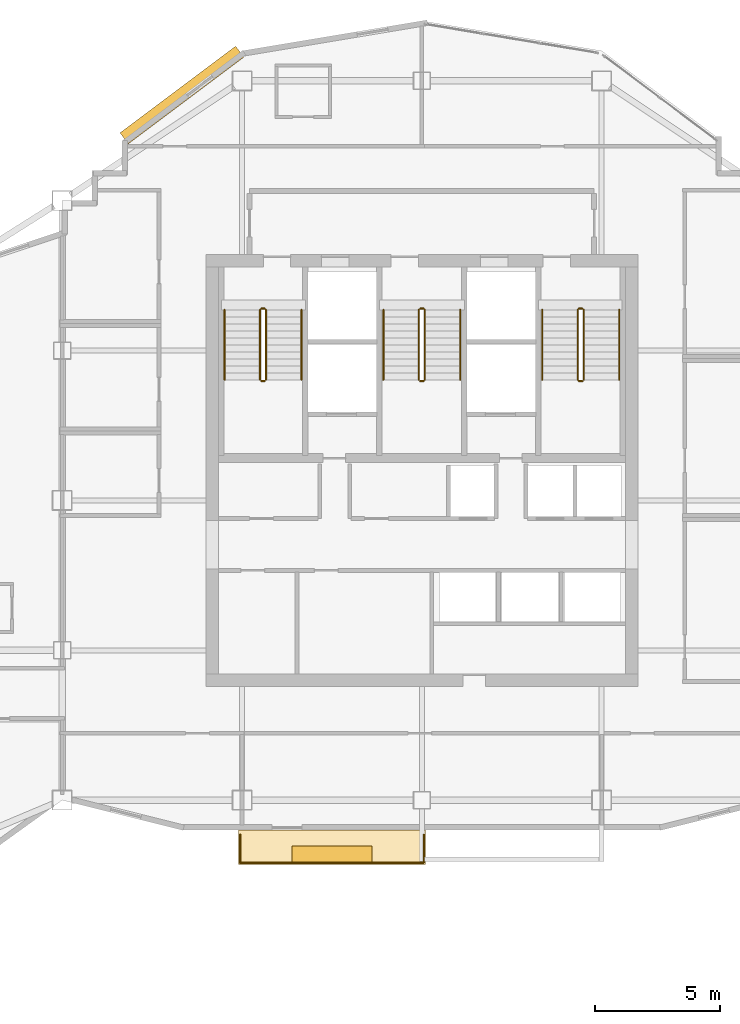
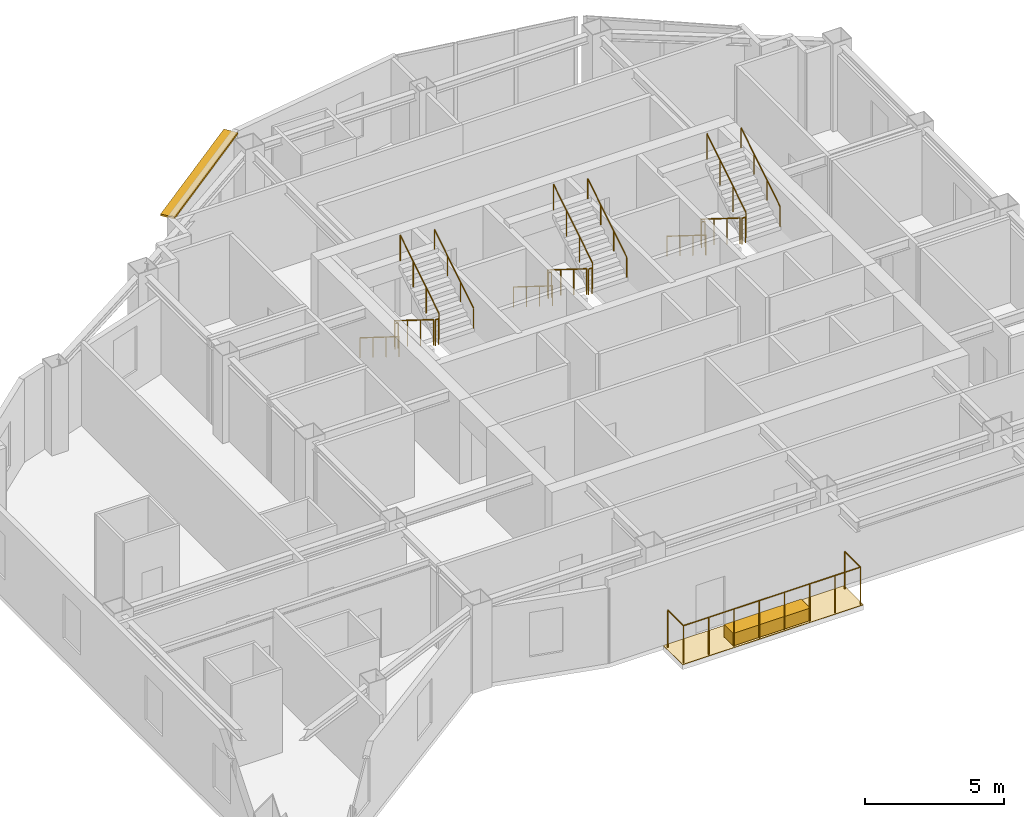
# One storey, part 9 of 9: 20 railings, 2 coverings, 1 shading device.
"""IFC4 building model written with IfcOpenShell, lengths in metres."""

import ifcopenshell
import ifcopenshell.guid

model = None  # the IFC model being written
_history = None  # IfcOwnerHistory: only IFC2X3 demands one
_inside = {}  # id of a spatial element -> (the spatial element, [elements in it])
_under = {}  # id of a project, library or spatial element -> (it, [spatial elements below it])
_declared = {}  # id of a project -> (the project, [libraries it declares])
_typed = {}  # id of a type object -> (the type object, [elements of that type])
_made_of = {}  # id of a material, layer set ... -> (it, [elements and type objects made of it])


def new_model(schema):
    """Start an empty IFC model of exactly this schema.

    Asked for "IFC4X3", IfcOpenShell would pick the latest addendum, in which some entities
    have other attributes; the version numbers below select the first issue.
    IFC2X3 requires an IfcOwnerHistory on every rooted entity: one is made here for all.
    """
    global model, _history
    if schema == "IFC4X3":
        model = ifcopenshell.file(schema_version=(4, 3, 0, 0))
    else:
        model = ifcopenshell.file(schema=schema)
    _inside.clear()
    _under.clear()
    _declared.clear()
    _typed.clear()
    _made_of.clear()
    _history = None
    if model.schema == "IFC2X3":
        org = make("IfcOrganization", Name="unknown")
        user = make(
            "IfcPersonAndOrganization",
            ThePerson=make("IfcPerson", FamilyName="unknown"),
            TheOrganization=org,
        )
        app = make(
            "IfcApplication",
            ApplicationDeveloper=org,
            Version="unknown",
            ApplicationFullName="unknown",
            ApplicationIdentifier="unknown",
        )
        _history = make(
            "IfcOwnerHistory",
            OwningUser=user,
            OwningApplication=app,
            ChangeAction="ADDED",
            CreationDate=0,
        )
    return model


def make(cls, **values):
    """One entity of the class cls with the attributes given. An attribute that is None is left unset."""
    return model.create_entity(
        cls, **{name: value for name, value in values.items() if value is not None}
    )


def rooted(cls, **values):
    """An entity with a GlobalId (a new one), such as an element, a storey or a relation."""
    return make(cls, GlobalId=ifcopenshell.guid.new(), OwnerHistory=_history, **values)


def si_unit(unit_type, name, prefix=None):
    """IfcSIUnit, for example si_unit("LENGTHUNIT", "METRE", prefix="MILLI")."""
    return make("IfcSIUnit", UnitType=unit_type, Prefix=prefix, Name=name)


def assignment(units):
    """IfcUnitAssignment: the units of a project."""
    return None if units is None else make("IfcUnitAssignment", Units=units)


def point(xyz):
    """IfcCartesianPoint."""
    return None if xyz is None else make("IfcCartesianPoint", Coordinates=xyz)


def direction(xyz):
    """IfcDirection."""
    return None if xyz is None else make("IfcDirection", DirectionRatios=xyz)


def frame(location, z_axis=None, x_axis=None):
    """IfcAxis2Placement3D, a coordinate frame: its origin and axes. An axis left out is left unset."""
    return make(
        "IfcAxis2Placement3D",
        Location=point(location),
        Axis=direction(z_axis),
        RefDirection=direction(x_axis),
    )


def frame_2d(location, x_axis=None):
    """IfcAxis2Placement2D, a coordinate frame in the plane: its origin and x axis."""
    return make(
        "IfcAxis2Placement2D", Location=point(location), RefDirection=direction(x_axis)
    )


def origin():
    """The frame at (0, 0, 0) with its axes left unset."""
    return frame((0.0, 0.0, 0.0))


def origin_2d():
    """The frame at (0, 0) in the plane with its x axis left unset."""
    return frame_2d((0.0, 0.0))


def place(relative_to, where):
    """IfcLocalPlacement: puts the frame where relative to a parent placement (None: the world)."""
    return make(
        "IfcLocalPlacement", PlacementRelTo=relative_to, RelativePlacement=where
    )


def context(
    kind, dimensions, precision=None, world=None, true_north=None, identifier=None
):
    """IfcGeometricRepresentationContext, for example the 3D "Model" context."""
    return make(
        "IfcGeometricRepresentationContext",
        ContextIdentifier=identifier,
        ContextType=kind,
        CoordinateSpaceDimension=dimensions,
        Precision=precision,
        WorldCoordinateSystem=world,
        TrueNorth=true_north,
    )


def subcontext(parent, identifier, kind, view, scale=None):
    """IfcGeometricRepresentationSubContext, for example "Body" below "Model"."""
    return make(
        "IfcGeometricRepresentationSubContext",
        ContextIdentifier=identifier,
        ContextType=kind,
        ParentContext=parent,
        TargetScale=scale,
        TargetView=view,
    )


def project(units=None, contexts=None):
    """IfcProject with its units and contexts."""
    return rooted(
        "IfcProject",
        Name="project",
        RepresentationContexts=contexts,
        UnitsInContext=assignment(units),
    )


def spatial(cls, under=None, at=None, **own):
    """A site, building, storey or space (cls), placed at a placement, below another one or the project."""
    s = rooted(cls, ObjectPlacement=at, **own)
    if under is not None:
        _under.setdefault(under.id(), (under, []))[1].append(s)
    return s


def polyline(points):
    """IfcPolyline through the points."""
    return make("IfcPolyline", Points=[point(p) for p in points])


def profile(cls, at=None, kind="AREA", **sizes):
    """A parametric profile (cls). Its sizes go by their IFC names, for example OverallWidth=200.0."""
    return make(cls, ProfileType=kind, Position=at, **sizes)


def rectangle(**sizes):
    """IfcRectangleProfileDef."""
    return profile("IfcRectangleProfileDef", **sizes)


def circle(**sizes):
    """IfcCircleProfileDef."""
    return profile("IfcCircleProfileDef", **sizes)


def outline(outer, holes=None, kind="AREA"):
    """IfcArbitraryClosedProfileDef: a profile drawn as a closed curve; with holes, ...WithVoids."""
    if holes is None:
        return make("IfcArbitraryClosedProfileDef", ProfileType=kind, OuterCurve=outer)
    return make(
        "IfcArbitraryProfileDefWithVoids",
        ProfileType=kind,
        OuterCurve=outer,
        InnerCurves=holes,
    )


def extrude(swept, where, along, depth):
    """IfcExtrudedAreaSolid: the profile swept, set in the frame where, extruded along a direction by depth."""
    return make(
        "IfcExtrudedAreaSolid",
        SweptArea=swept,
        Position=where,
        ExtrudedDirection=direction(along),
        Depth=depth,
    )


def shape(context_of_items, identifier, shape_type, items):
    """IfcShapeRepresentation: the items that make up one representation, for example the "Body"."""
    return make(
        "IfcShapeRepresentation",
        ContextOfItems=context_of_items,
        RepresentationIdentifier=identifier,
        RepresentationType=shape_type,
        Items=items,
    )


def material(Name=None, Category=None):
    """IfcMaterial."""
    return make("IfcMaterial", Name=Name, Category=Category)


def layer(
    of_material, thickness, ventilated=None, Name=None, Category=None, Priority=None
):
    """IfcMaterialLayer: one layer of a wall or slab, of a material (None: an air gap)."""
    return make(
        "IfcMaterialLayer",
        Material=of_material,
        LayerThickness=thickness,
        IsVentilated=ventilated,
        Name=Name,
        Category=Category,
        Priority=Priority,
    )


def layer_set(layers, Name=None):
    """IfcMaterialLayerSet."""
    return make("IfcMaterialLayerSet", MaterialLayers=layers, LayerSetName=Name)


def made_of(thing, what):
    """Note that an element or type object is made of a material, layer set ...; save() writes the relation."""
    if what is not None:
        _made_of.setdefault(what.id(), (what, []))[1].append(thing)
    return thing


def type_object(cls, material=None, **own):
    """A type object (cls), such as IfcWallType, which elements share."""
    return made_of(rooted(cls, **own), material)


def element(
    cls,
    number,
    at=None,
    inside=None,
    cuts=None,
    type_object=None,
    material=None,
    context=None,
    identifier="Body",
    shape_type=None,
    held_by="IfcProductDefinitionShape",
    body=None,
    shapes=None,
    **own,
):
    """One element of the class cls, such as IfcWall. Its Tag is "e" and its number.

    at: its placement. inside: the storey or other place that contains it. cuts: it is an
    opening in that element (IfcRelVoidsElement). A single representation is given by context,
    identifier, shape_type and body (its items); several are given by shapes. held_by: the class
    of the entity that holds the representations. save() writes the other relations.
    """
    e = rooted(cls, Tag="e%d" % number, ObjectPlacement=at, **own)
    if body is not None:
        shapes = [shape(context, identifier, shape_type, body)]
    if shapes is not None:
        e.Representation = make(held_by, Representations=shapes)
    if inside is not None:
        _inside.setdefault(inside.id(), (inside, []))[1].append(e)
    if cuts is not None:
        rooted(
            "IfcRelVoidsElement", RelatingBuildingElement=cuts, RelatedOpeningElement=e
        )
    if type_object is not None:
        _typed.setdefault(type_object.id(), (type_object, []))[1].append(e)
    return made_of(e, material)


def aggregate(whole, parts):
    """IfcRelAggregates: a whole, such as a stair, and the parts it consists of."""
    return rooted("IfcRelAggregates", RelatingObject=whole, RelatedObjects=parts)


def save(model, path):
    """Write the relations noted so far, then the file.

    IfcRelAggregates (storeys below a building ...), IfcRelContainedInSpatialStructure (elements
    in a storey), IfcRelDefinesByType, IfcRelAssociatesMaterial and IfcRelDeclares: one each for
    every whole, place, type object, material and project.
    """
    for whole, parts in _under.values():
        aggregate(whole, parts)
    for where, things in _inside.values():
        rooted(
            "IfcRelContainedInSpatialStructure",
            RelatedElements=things,
            RelatingStructure=where,
        )
    for kind, things in _typed.values():
        rooted("IfcRelDefinesByType", RelatedObjects=things, RelatingType=kind)
    for what, things in _made_of.values():
        rooted("IfcRelAssociatesMaterial", RelatedObjects=things, RelatingMaterial=what)
    for by, libraries in _declared.values():
        rooted("IfcRelDeclares", RelatingContext=by, RelatedDefinitions=libraries)
    model.write(path)


model = new_model("IFC4")

# Units and contexts
model_context = context("Model", 3, precision=1e-05, world=origin(), true_north=direction((0.0, 1.0)))
body_context = subcontext(model_context, "Body", "Model", "MODEL_VIEW")
ifc_project = project(units=[si_unit("LENGTHUNIT", "METRE"), si_unit("AREAUNIT", "SQUARE_METRE"), si_unit("VOLUMEUNIT", "CUBIC_METRE"), si_unit("PLANEANGLEUNIT", "RADIAN"), si_unit("MASSUNIT", "GRAM", prefix="KILO")], contexts=[model_context])

# Site, building, storey
site_placement = place(None, origin())
site = spatial("IfcSite", under=ifc_project, at=site_placement, CompositionType="ELEMENT")
building_placement = place(site_placement, origin())
building = spatial("IfcBuilding", under=site, at=building_placement, Name="Haolan Belvedere Tower", CompositionType="ELEMENT")
storey_placement = place(building_placement, frame((0.0, 0.0, 242.89990234375)))
storey = spatial("IfcBuildingStorey", under=building, at=storey_placement, Name="L61", CompositionType="ELEMENT", Elevation=242.89990234375)

# Coverings
ifc_material_1 = material(Name="Engineered lightweight planted garden soil substrate", Category="masonry")
ifc_layer_1 = layer(ifc_material_1, 0.550048828125, Name="Engineered lightweight planted garden soil substrate")
ifc_layer_set_1 = layer_set([ifc_layer_1], Name="Engineered lightweight planted garden soil substrate")
covering_type_1 = type_object("IfcCoveringType", Name="COV-PLANT-550", PredefinedType="MEMBRANE", material=ifc_layer_set_1)
covering_1_placement = place(storey_placement, frame((34.800048828125, 19.43994140625, 0.0), z_axis=(0.0, 0.0, 1.0), x_axis=(1.0, 0.0, 0.0)))
element("IfcCovering", 1, at=covering_1_placement, inside=storey, type_object=covering_type_1, Name="L61 structural tree balcony PLANTER box 1", PredefinedType="MEMBRANE", context=body_context, shape_type="SweptSolid", body=[
    extrude(rectangle(XDim=3.199951171875, YDim=0.64990234375, at=origin_2d()), origin(), (0.0, 0.0, 1.0), 0.550048828125),
])
ifc_material_2 = material(Name="Elastomeric waterproof roofing membrane and stone pavers", Category="masonry")
ifc_layer_2 = layer(ifc_material_2, 0.02001953125, Name="Elastomeric waterproof roofing membrane and stone pavers")
ifc_layer_set_2 = layer_set([ifc_layer_2], Name="Elastomeric waterproof roofing membrane and stone pavers")
covering_type_2 = type_object("IfcCoveringType", Name="COV-ROOF-20", PredefinedType="ROOFING", material=ifc_layer_set_2)
covering_2_placement = place(storey_placement, frame((0.0, 0.0, -0.02001953125)))
element("IfcCovering", 2, at=covering_2_placement, inside=storey, type_object=covering_type_2, Name="L61 tree-balcony waterproof membrane 1", PredefinedType="ROOFING", context=body_context, shape_type="SweptSolid", body=[
    extrude(outline(polyline([(31.050048828125, 19.02001953125), (38.550048828125, 19.02001953125), (38.550048828125, 20.39990234375), (31.050048828125, 20.39990234375), (31.050048828125, 19.02001953125)])), origin(), (0.0, 0.0, 1.0), 0.02001953125),
])

# Railings
ifc_material_3 = material(Name="Brushed stainless steel 304", Category="steel")
railing_type_1 = type_object("IfcRailingType", Name="RL-STAIR-GRD-1150", PredefinedType="GUARDRAIL", material=ifc_material_3)
railing_1_placement = place(storey_placement, frame((31.919921875, 41.22998046875, 0.175048828125)))
element("IfcRailing", 3, at=railing_1_placement, inside=storey, type_object=railing_type_1, Name="L61 ST1 stair guard 1", PredefinedType="GUARDRAIL", context=body_context, shape_type="SweptSolid", body=[
    extrude(circle(Radius=0.02392578125, at=origin_2d()), frame((0.0, 0.0, 1.1259765625), z_axis=(0.0, -0.848002457836, 0.529992293815), x_axis=(1.0, 0.0, 0.0)), (0.0, 0.0, 1.0), 3.302001953125),
    extrude(circle(Radius=0.02099609375, at=origin_2d()), origin(), (0.0, 0.0, 1.0), 1.101806640625),
    extrude(circle(Radius=0.02099609375, at=origin_2d()), frame((0.0, -0.933349609375, 0.583251953125)), (0.0, 0.0, 1.0), 1.101806640625),
    extrude(circle(Radius=0.02099609375, at=origin_2d()), frame((0.0, -1.86669921875, 1.166748046875)), (0.0, 0.0, 1.0), 1.101806640625),
    extrude(circle(Radius=0.02099609375, at=origin_2d()), frame((0.0, -2.800048828125, 1.75)), (0.0, 0.0, 1.0), 1.101806640625),
])
railing_2_placement = place(storey_placement, frame((31.969970703125, 38.3798828125, 1.925048828125)))
element("IfcRailing", 4, at=railing_2_placement, inside=storey, type_object=railing_type_1, Name="L61 ST1 stair guard 2", PredefinedType="GUARDRAIL", context=body_context, shape_type="SweptSolid", body=[
    extrude(circle(Radius=0.02392578125, at=origin_2d()), frame((0.0, 0.0, 1.1259765625), z_axis=(1.0, 0.0, 0.0), x_axis=(0.0, 1.0, 0.0)), (0.0, 0.0, 1.0), 0.14013671875),
    extrude(circle(Radius=0.02099609375, at=origin_2d()), origin(), (0.0, 0.0, 1.0), 1.101806640625),
    extrude(circle(Radius=0.02099609375, at=origin_2d()), frame((0.14013671875, 0.0, 0.0)), (0.0, 0.0, 1.0), 1.101806640625),
])
railing_3_placement = place(storey_placement, frame((32.159912109375, 38.429931640625, 2.10009765625)))
element("IfcRailing", 5, at=railing_3_placement, inside=storey, type_object=railing_type_1, Name="L61 ST1 stair guard 3", PredefinedType="GUARDRAIL", context=body_context, shape_type="SweptSolid", body=[
    extrude(circle(Radius=0.02392578125, at=origin_2d()), frame((0.0, 0.0, 1.1259765625), z_axis=(0.0, 0.848002457836, 0.529992293815), x_axis=(-1.0, 0.0, 0.0)), (0.0, 0.0, 1.0), 3.302001953125),
    extrude(circle(Radius=0.02099609375, at=origin_2d()), origin(), (0.0, 0.0, 1.0), 1.101806640625),
    extrude(circle(Radius=0.02099609375, at=origin_2d()), frame((0.0, 0.933349609375, 0.583251953125)), (0.0, 0.0, 1.0), 1.101806640625),
    extrude(circle(Radius=0.02099609375, at=origin_2d()), frame((0.0, 1.86669921875, 1.166748046875)), (0.0, 0.0, 1.0), 1.101806640625),
    extrude(circle(Radius=0.02099609375, at=origin_2d()), frame((0.0, 2.800048828125, 1.75)), (0.0, 0.0, 1.0), 1.101806640625),
])
railing_4_placement = place(storey_placement, frame((31.969970703125, 41.280029296875, 0.0)))
element("IfcRailing", 6, at=railing_4_placement, inside=storey, type_object=railing_type_1, Name="L61 ST1 stair guard 4", PredefinedType="GUARDRAIL", context=body_context, shape_type="SweptSolid", body=[
    extrude(circle(Radius=0.02392578125, at=origin_2d()), frame((0.0, 0.0, 1.1259765625), z_axis=(1.0, 0.0, 0.0), x_axis=(0.0, 1.0, 0.0)), (0.0, 0.0, 1.0), 0.14013671875),
    extrude(circle(Radius=0.02099609375, at=origin_2d()), origin(), (0.0, 0.0, 1.0), 1.101806640625),
    extrude(circle(Radius=0.02099609375, at=origin_2d()), frame((0.14013671875, 0.0, 0.0)), (0.0, 0.0, 1.0), 1.101806640625),
])
railing_5_placement = place(storey_placement, frame((38.280029296875, 41.22998046875, 0.175048828125)))
element("IfcRailing", 7, at=railing_5_placement, inside=storey, type_object=railing_type_1, Name="L61 ST3 stair guard 1", PredefinedType="GUARDRAIL", context=body_context, shape_type="SweptSolid", body=[
    extrude(circle(Radius=0.02392578125, at=origin_2d()), frame((0.0, 0.0, 1.1259765625), z_axis=(0.0, -0.848002457836, 0.529992293815), x_axis=(1.0, 0.0, 0.0)), (0.0, 0.0, 1.0), 3.302001953125),
    extrude(circle(Radius=0.02099609375, at=origin_2d()), origin(), (0.0, 0.0, 1.0), 1.101806640625),
    extrude(circle(Radius=0.02099609375, at=origin_2d()), frame((0.0, -0.933349609375, 0.583251953125)), (0.0, 0.0, 1.0), 1.101806640625),
    extrude(circle(Radius=0.02099609375, at=origin_2d()), frame((0.0, -1.86669921875, 1.166748046875)), (0.0, 0.0, 1.0), 1.101806640625),
    extrude(circle(Radius=0.02099609375, at=origin_2d()), frame((0.0, -2.800048828125, 1.75)), (0.0, 0.0, 1.0), 1.101806640625),
])
railing_6_placement = place(storey_placement, frame((38.330078125, 38.3798828125, 1.925048828125)))
element("IfcRailing", 8, at=railing_6_placement, inside=storey, type_object=railing_type_1, Name="L61 ST3 stair guard 2", PredefinedType="GUARDRAIL", context=body_context, shape_type="SweptSolid", body=[
    extrude(circle(Radius=0.02392578125, at=origin_2d()), frame((0.0, 0.0, 1.1259765625), z_axis=(1.0, 0.0, 0.0), x_axis=(0.0, 1.0, 0.0)), (0.0, 0.0, 1.0), 0.139892578125),
    extrude(circle(Radius=0.02099609375, at=origin_2d()), origin(), (0.0, 0.0, 1.0), 1.101806640625),
    extrude(circle(Radius=0.02099609375, at=origin_2d()), frame((0.139892578125, 0.0, 0.0)), (0.0, 0.0, 1.0), 1.101806640625),
])
railing_7_placement = place(storey_placement, frame((38.52001953125, 38.429931640625, 2.10009765625)))
element("IfcRailing", 9, at=railing_7_placement, inside=storey, type_object=railing_type_1, Name="L61 ST3 stair guard 3", PredefinedType="GUARDRAIL", context=body_context, shape_type="SweptSolid", body=[
    extrude(circle(Radius=0.02392578125, at=origin_2d()), frame((0.0, 0.0, 1.1259765625), z_axis=(0.0, 0.848002457836, 0.529992293815), x_axis=(-1.0, 0.0, 0.0)), (0.0, 0.0, 1.0), 3.302001953125),
    extrude(circle(Radius=0.02099609375, at=origin_2d()), origin(), (0.0, 0.0, 1.0), 1.101806640625),
    extrude(circle(Radius=0.02099609375, at=origin_2d()), frame((0.0, 0.933349609375, 0.583251953125)), (0.0, 0.0, 1.0), 1.101806640625),
    extrude(circle(Radius=0.02099609375, at=origin_2d()), frame((0.0, 1.86669921875, 1.166748046875)), (0.0, 0.0, 1.0), 1.101806640625),
    extrude(circle(Radius=0.02099609375, at=origin_2d()), frame((0.0, 2.800048828125, 1.75)), (0.0, 0.0, 1.0), 1.101806640625),
])
railing_8_placement = place(storey_placement, frame((38.330078125, 41.280029296875, 0.0)))
element("IfcRailing", 10, at=railing_8_placement, inside=storey, type_object=railing_type_1, Name="L61 ST3 stair guard 4", PredefinedType="GUARDRAIL", context=body_context, shape_type="SweptSolid", body=[
    extrude(circle(Radius=0.02392578125, at=origin_2d()), frame((0.0, 0.0, 1.1259765625), z_axis=(1.0, 0.0, 0.0), x_axis=(0.0, 1.0, 0.0)), (0.0, 0.0, 1.0), 0.139892578125),
    extrude(circle(Radius=0.02099609375, at=origin_2d()), origin(), (0.0, 0.0, 1.0), 1.101806640625),
    extrude(circle(Radius=0.02099609375, at=origin_2d()), frame((0.139892578125, 0.0, 0.0)), (0.0, 0.0, 1.0), 1.101806640625),
])
railing_9_placement = place(storey_placement, frame((44.639892578125, 41.22998046875, 0.175048828125)))
element("IfcRailing", 11, at=railing_9_placement, inside=storey, type_object=railing_type_1, Name="L61 ST2 stair guard 1", PredefinedType="GUARDRAIL", context=body_context, shape_type="SweptSolid", body=[
    extrude(circle(Radius=0.02392578125, at=origin_2d()), frame((0.0, 0.0, 1.1259765625), z_axis=(0.0, -0.848002457836, 0.529992293815), x_axis=(1.0, 0.0, 0.0)), (0.0, 0.0, 1.0), 3.302001953125),
    extrude(circle(Radius=0.02099609375, at=origin_2d()), origin(), (0.0, 0.0, 1.0), 1.101806640625),
    extrude(circle(Radius=0.02099609375, at=origin_2d()), frame((0.0, -0.933349609375, 0.583251953125)), (0.0, 0.0, 1.0), 1.101806640625),
    extrude(circle(Radius=0.02099609375, at=origin_2d()), frame((0.0, -1.86669921875, 1.166748046875)), (0.0, 0.0, 1.0), 1.101806640625),
    extrude(circle(Radius=0.02099609375, at=origin_2d()), frame((0.0, -2.800048828125, 1.75)), (0.0, 0.0, 1.0), 1.101806640625),
])
railing_10_placement = place(storey_placement, frame((44.68994140625, 38.3798828125, 1.925048828125)))
element("IfcRailing", 12, at=railing_10_placement, inside=storey, type_object=railing_type_1, Name="L61 ST2 stair guard 2", PredefinedType="GUARDRAIL", context=body_context, shape_type="SweptSolid", body=[
    extrude(circle(Radius=0.02392578125, at=origin_2d()), frame((0.0, 0.0, 1.1259765625), z_axis=(1.0, 0.0, 0.0), x_axis=(0.0, 1.0, 0.0)), (0.0, 0.0, 1.0), 0.14013671875),
    extrude(circle(Radius=0.02099609375, at=origin_2d()), origin(), (0.0, 0.0, 1.0), 1.101806640625),
    extrude(circle(Radius=0.02099609375, at=origin_2d()), frame((0.14013671875, 0.0, 0.0)), (0.0, 0.0, 1.0), 1.101806640625),
])
railing_11_placement = place(storey_placement, frame((44.8798828125, 38.429931640625, 2.10009765625)))
element("IfcRailing", 13, at=railing_11_placement, inside=storey, type_object=railing_type_1, Name="L61 ST2 stair guard 3", PredefinedType="GUARDRAIL", context=body_context, shape_type="SweptSolid", body=[
    extrude(circle(Radius=0.02392578125, at=origin_2d()), frame((0.0, 0.0, 1.1259765625), z_axis=(0.0, 0.848002457836, 0.529992293815), x_axis=(-1.0, 0.0, 0.0)), (0.0, 0.0, 1.0), 3.302001953125),
    extrude(circle(Radius=0.02099609375, at=origin_2d()), origin(), (0.0, 0.0, 1.0), 1.101806640625),
    extrude(circle(Radius=0.02099609375, at=origin_2d()), frame((0.0, 0.933349609375, 0.583251953125)), (0.0, 0.0, 1.0), 1.101806640625),
    extrude(circle(Radius=0.02099609375, at=origin_2d()), frame((0.0, 1.86669921875, 1.166748046875)), (0.0, 0.0, 1.0), 1.101806640625),
    extrude(circle(Radius=0.02099609375, at=origin_2d()), frame((0.0, 2.800048828125, 1.75)), (0.0, 0.0, 1.0), 1.101806640625),
])
railing_12_placement = place(storey_placement, frame((44.68994140625, 41.280029296875, 0.0)))
element("IfcRailing", 14, at=railing_12_placement, inside=storey, type_object=railing_type_1, Name="L61 ST2 stair guard 4", PredefinedType="GUARDRAIL", context=body_context, shape_type="SweptSolid", body=[
    extrude(circle(Radius=0.02392578125, at=origin_2d()), frame((0.0, 0.0, 1.1259765625), z_axis=(1.0, 0.0, 0.0), x_axis=(0.0, 1.0, 0.0)), (0.0, 0.0, 1.0), 0.14013671875),
    extrude(circle(Radius=0.02099609375, at=origin_2d()), origin(), (0.0, 0.0, 1.0), 1.101806640625),
    extrude(circle(Radius=0.02099609375, at=origin_2d()), frame((0.14013671875, 0.0, 0.0)), (0.0, 0.0, 1.0), 1.101806640625),
])
railing_type_2 = type_object("IfcRailingType", Name="RL-STAIR-HND-900", PredefinedType="HANDRAIL", material=ifc_material_3)
railing_13_placement = place(storey_placement, frame((30.5, 41.22998046875, 0.175048828125)))
element("IfcRailing", 15, at=railing_13_placement, inside=storey, type_object=railing_type_2, Name="L61 ST1 stair handrail 1", PredefinedType="HANDRAIL", context=body_context, shape_type="SweptSolid", body=[
    extrude(circle(Radius=0.02392578125, at=origin_2d()), frame((0.0, 0.0, 0.8759765625), z_axis=(0.0, -0.848002457836, 0.529992293815), x_axis=(1.0, 0.0, 0.0)), (0.0, 0.0, 1.0), 3.302001953125),
    extrude(circle(Radius=0.02099609375, at=origin_2d()), origin(), (0.0, 0.0, 1.0), 0.851806640625),
    extrude(circle(Radius=0.02099609375, at=origin_2d()), frame((0.0, -0.933349609375, 0.583251953125)), (0.0, 0.0, 1.0), 0.851806640625),
    extrude(circle(Radius=0.02099609375, at=origin_2d()), frame((0.0, -1.86669921875, 1.166748046875)), (0.0, 0.0, 1.0), 0.851806640625),
    extrude(circle(Radius=0.02099609375, at=origin_2d()), frame((0.0, -2.800048828125, 1.75)), (0.0, 0.0, 1.0), 0.851806640625),
])
railing_14_placement = place(storey_placement, frame((33.580078125, 38.429931640625, 2.10009765625)))
element("IfcRailing", 16, at=railing_14_placement, inside=storey, type_object=railing_type_2, Name="L61 ST1 stair handrail 2", PredefinedType="HANDRAIL", context=body_context, shape_type="SweptSolid", body=[
    extrude(circle(Radius=0.02392578125, at=origin_2d()), frame((0.0, 0.0, 0.8759765625), z_axis=(0.0, 0.848002457836, 0.529992293815), x_axis=(-1.0, 0.0, 0.0)), (0.0, 0.0, 1.0), 3.302001953125),
    extrude(circle(Radius=0.02099609375, at=origin_2d()), origin(), (0.0, 0.0, 1.0), 0.851806640625),
    extrude(circle(Radius=0.02099609375, at=origin_2d()), frame((0.0, 0.933349609375, 0.583251953125)), (0.0, 0.0, 1.0), 0.851806640625),
    extrude(circle(Radius=0.02099609375, at=origin_2d()), frame((0.0, 1.86669921875, 1.166748046875)), (0.0, 0.0, 1.0), 0.851806640625),
    extrude(circle(Radius=0.02099609375, at=origin_2d()), frame((0.0, 2.800048828125, 1.75)), (0.0, 0.0, 1.0), 0.851806640625),
])
railing_15_placement = place(storey_placement, frame((36.860107421875, 41.22998046875, 0.175048828125)))
element("IfcRailing", 17, at=railing_15_placement, inside=storey, type_object=railing_type_2, Name="L61 ST3 stair handrail 1", PredefinedType="HANDRAIL", context=body_context, shape_type="SweptSolid", body=[
    extrude(circle(Radius=0.02392578125, at=origin_2d()), frame((0.0, 0.0, 0.8759765625), z_axis=(0.0, -0.848002457836, 0.529992293815), x_axis=(1.0, 0.0, 0.0)), (0.0, 0.0, 1.0), 3.302001953125),
    extrude(circle(Radius=0.02099609375, at=origin_2d()), origin(), (0.0, 0.0, 1.0), 0.851806640625),
    extrude(circle(Radius=0.02099609375, at=origin_2d()), frame((0.0, -0.933349609375, 0.583251953125)), (0.0, 0.0, 1.0), 0.851806640625),
    extrude(circle(Radius=0.02099609375, at=origin_2d()), frame((0.0, -1.86669921875, 1.166748046875)), (0.0, 0.0, 1.0), 0.851806640625),
    extrude(circle(Radius=0.02099609375, at=origin_2d()), frame((0.0, -2.800048828125, 1.75)), (0.0, 0.0, 1.0), 0.851806640625),
])
railing_16_placement = place(storey_placement, frame((39.93994140625, 38.429931640625, 2.10009765625)))
element("IfcRailing", 18, at=railing_16_placement, inside=storey, type_object=railing_type_2, Name="L61 ST3 stair handrail 2", PredefinedType="HANDRAIL", context=body_context, shape_type="SweptSolid", body=[
    extrude(circle(Radius=0.02392578125, at=origin_2d()), frame((0.0, 0.0, 0.8759765625), z_axis=(0.0, 0.848002457836, 0.529992293815), x_axis=(-1.0, 0.0, 0.0)), (0.0, 0.0, 1.0), 3.302001953125),
    extrude(circle(Radius=0.02099609375, at=origin_2d()), origin(), (0.0, 0.0, 1.0), 0.851806640625),
    extrude(circle(Radius=0.02099609375, at=origin_2d()), frame((0.0, 0.933349609375, 0.583251953125)), (0.0, 0.0, 1.0), 0.851806640625),
    extrude(circle(Radius=0.02099609375, at=origin_2d()), frame((0.0, 1.86669921875, 1.166748046875)), (0.0, 0.0, 1.0), 0.851806640625),
    extrude(circle(Radius=0.02099609375, at=origin_2d()), frame((0.0, 2.800048828125, 1.75)), (0.0, 0.0, 1.0), 0.851806640625),
])
railing_17_placement = place(storey_placement, frame((43.219970703125, 41.22998046875, 0.175048828125)))
element("IfcRailing", 19, at=railing_17_placement, inside=storey, type_object=railing_type_2, Name="L61 ST2 stair handrail 1", PredefinedType="HANDRAIL", context=body_context, shape_type="SweptSolid", body=[
    extrude(circle(Radius=0.02392578125, at=origin_2d()), frame((0.0, 0.0, 0.8759765625), z_axis=(0.0, -0.848002457836, 0.529992293815), x_axis=(1.0, 0.0, 0.0)), (0.0, 0.0, 1.0), 3.302001953125),
    extrude(circle(Radius=0.02099609375, at=origin_2d()), origin(), (0.0, 0.0, 1.0), 0.851806640625),
    extrude(circle(Radius=0.02099609375, at=origin_2d()), frame((0.0, -0.933349609375, 0.583251953125)), (0.0, 0.0, 1.0), 0.851806640625),
    extrude(circle(Radius=0.02099609375, at=origin_2d()), frame((0.0, -1.86669921875, 1.166748046875)), (0.0, 0.0, 1.0), 0.851806640625),
    extrude(circle(Radius=0.02099609375, at=origin_2d()), frame((0.0, -2.800048828125, 1.75)), (0.0, 0.0, 1.0), 0.851806640625),
])
railing_18_placement = place(storey_placement, frame((46.300048828125, 38.429931640625, 2.10009765625)))
element("IfcRailing", 20, at=railing_18_placement, inside=storey, type_object=railing_type_2, Name="L61 ST2 stair handrail 2", PredefinedType="HANDRAIL", context=body_context, shape_type="SweptSolid", body=[
    extrude(circle(Radius=0.02392578125, at=origin_2d()), frame((0.0, 0.0, 0.8759765625), z_axis=(0.0, 0.848002457836, 0.529992293815), x_axis=(-1.0, 0.0, 0.0)), (0.0, 0.0, 1.0), 3.302001953125),
    extrude(circle(Radius=0.02099609375, at=origin_2d()), origin(), (0.0, 0.0, 1.0), 0.851806640625),
    extrude(circle(Radius=0.02099609375, at=origin_2d()), frame((0.0, 0.933349609375, 0.583251953125)), (0.0, 0.0, 1.0), 0.851806640625),
    extrude(circle(Radius=0.02099609375, at=origin_2d()), frame((0.0, 1.86669921875, 1.166748046875)), (0.0, 0.0, 1.0), 0.851806640625),
    extrude(circle(Radius=0.02099609375, at=origin_2d()), frame((0.0, 2.800048828125, 1.75)), (0.0, 0.0, 1.0), 0.851806640625),
])
ifc_material_4 = material(Name="Anodised aluminium and laminated glass balustrade", Category="aluminium")
railing_type_3 = type_object("IfcRailingType", Name="RL-TER-BAL-1150", PredefinedType="BALUSTRADE", material=ifc_material_4)
railing_19_placement = place(storey_placement, frame((31.1298828125, 19.10009765625, 0.0)))
element("IfcRailing", 21, at=railing_19_placement, inside=storey, type_object=railing_type_3, Name="L61 outdoor perimeter balustrade BAL-L61-1-1", PredefinedType="BALUSTRADE", context=body_context, shape_type="SweptSolid", body=[
    extrude(circle(Radius=0.02392578125, at=origin_2d()), frame((0.0, 0.0, 1.6259765625), z_axis=(0.0, 1.0, 0.0), x_axis=(-1.0, 0.0, 0.0)), (0.0, 0.0, 1.0), 1.119873046875),
    extrude(circle(Radius=0.02099609375, at=origin_2d()), origin(), (0.0, 0.0, 1.0), 1.601806640625),
    extrude(circle(Radius=0.02099609375, at=origin_2d()), frame((0.0, 1.119873046875, 0.0)), (0.0, 0.0, 1.0), 1.601806640625),
])
railing_20_placement = place(storey_placement, frame((38.469970703125, 20.219970703125, 0.0)))
element("IfcRailing", 22, at=railing_20_placement, inside=storey, type_object=railing_type_3, Name="L61 outdoor perimeter balustrade BAL-L61-1-2", PredefinedType="BALUSTRADE", context=body_context, shape_type="SweptSolid", body=[
    extrude(circle(Radius=0.02392578125, at=origin_2d()), frame((0.0, 0.0, 1.6259765625), z_axis=(0.0, -1.0, 0.0), x_axis=(1.0, 0.0, 0.0)), (0.0, 0.0, 1.0), 1.119873046875),
    extrude(circle(Radius=0.02392578125, at=origin_2d()), frame((0.0, -1.119873046875, 1.6259765625), z_axis=(-1.0, 0.0, 0.0), x_axis=(0.0, -1.0, 0.0)), (0.0, 0.0, 1.0), 7.340087890625),
    extrude(circle(Radius=0.02099609375, at=origin_2d()), origin(), (0.0, 0.0, 1.0), 1.601806640625),
    extrude(circle(Radius=0.02099609375, at=origin_2d()), frame((0.0, -1.119873046875, 0.0)), (0.0, 0.0, 1.0), 1.601806640625),
    extrude(circle(Radius=0.02099609375, at=origin_2d()), frame((-1.048583984375, -1.119873046875, 0.0)), (0.0, 0.0, 1.0), 1.601806640625),
    extrude(circle(Radius=0.02099609375, at=origin_2d()), frame((-2.09716796875, -1.119873046875, 0.0)), (0.0, 0.0, 1.0), 1.601806640625),
    extrude(circle(Radius=0.02099609375, at=origin_2d()), frame((-3.145751953125, -1.119873046875, 0.0)), (0.0, 0.0, 1.0), 1.601806640625),
    extrude(circle(Radius=0.02099609375, at=origin_2d()), frame((-4.1943359375, -1.119873046875, 0.0)), (0.0, 0.0, 1.0), 1.601806640625),
    extrude(circle(Radius=0.02099609375, at=origin_2d()), frame((-5.242919921875, -1.119873046875, 0.0)), (0.0, 0.0, 1.0), 1.601806640625),
    extrude(circle(Radius=0.02099609375, at=origin_2d()), frame((-6.29150390625, -1.119873046875, 0.0)), (0.0, 0.0, 1.0), 1.601806640625),
    extrude(circle(Radius=0.02099609375, at=origin_2d()), frame((-7.340087890625, -1.119873046875, 0.0)), (0.0, 0.0, 1.0), 1.601806640625),
])

# Shading device
ifc_material_5 = material(Name="Anodised champagne-silver aluminium 6063-T6", Category="aluminium")
ifc_layer_3 = layer(ifc_material_5, 0.080078125, Name="Anodised champagne-silver aluminium 6063-T6")
ifc_layer_set_3 = layer_set([ifc_layer_3], Name="Anodised champagne-silver aluminium 6063-T6")
shading_device_type = type_object("IfcShadingDeviceType", Name="SHD-SUN-550", PredefinedType="USERDEFINED", material=ifc_layer_set_3)
shading_device_placement = place(storey_placement, frame((28.793212890625, 49.83251953125, 3.570068359375), z_axis=(0.0, 0.0, 1.0), x_axis=(-0.799998928149, -0.600001429133, 0.0)))
element("IfcShadingDevice", 23, at=shading_device_placement, inside=storey, type_object=shading_device_type, Name="L61 pale-metal horizontal SUNSHADE band 11.1", ObjectType="SUNSHADE", PredefinedType="USERDEFINED", context=body_context, shape_type="SweptSolid", body=[
    extrude(rectangle(XDim=5.7880859375, YDim=0.550048828125, at=origin_2d()), origin(), (0.0, 0.0, 1.0), 0.080078125),
])

save(model, "model.ifc")
